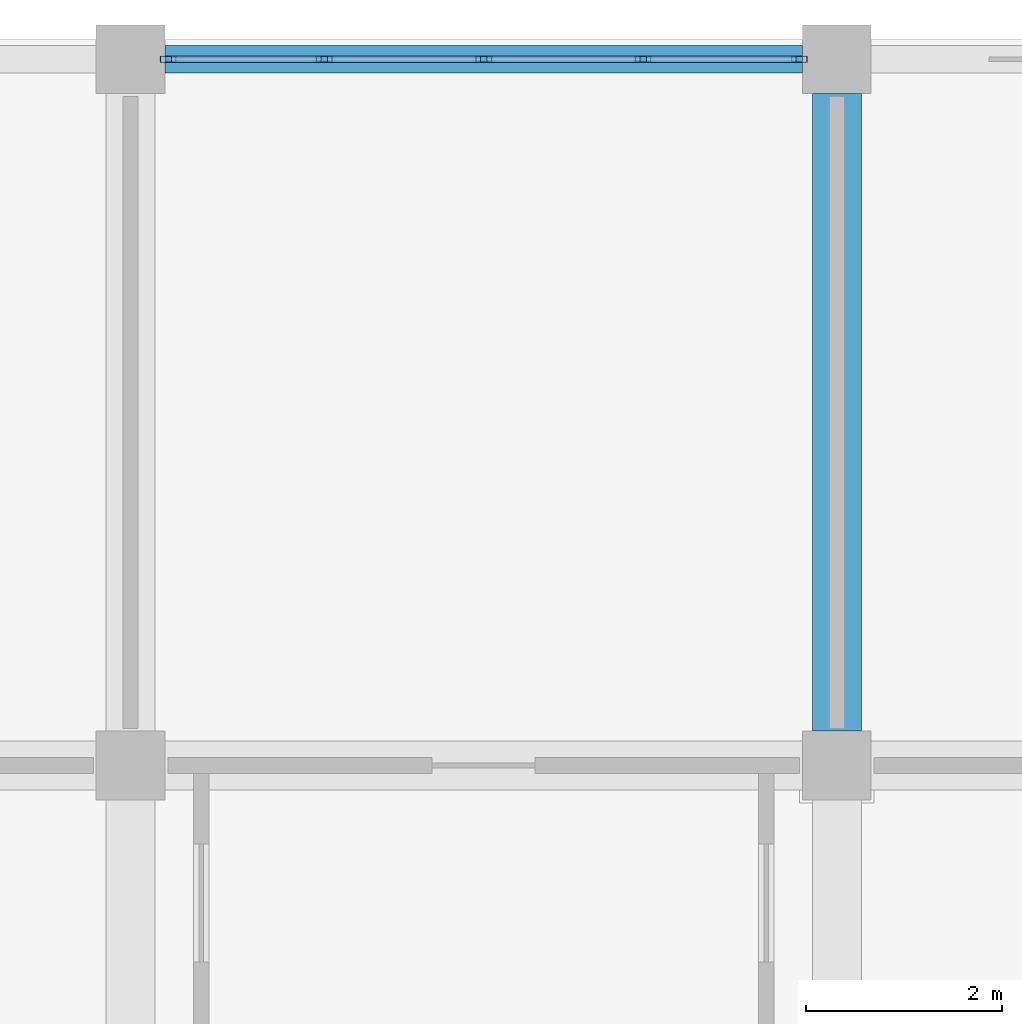
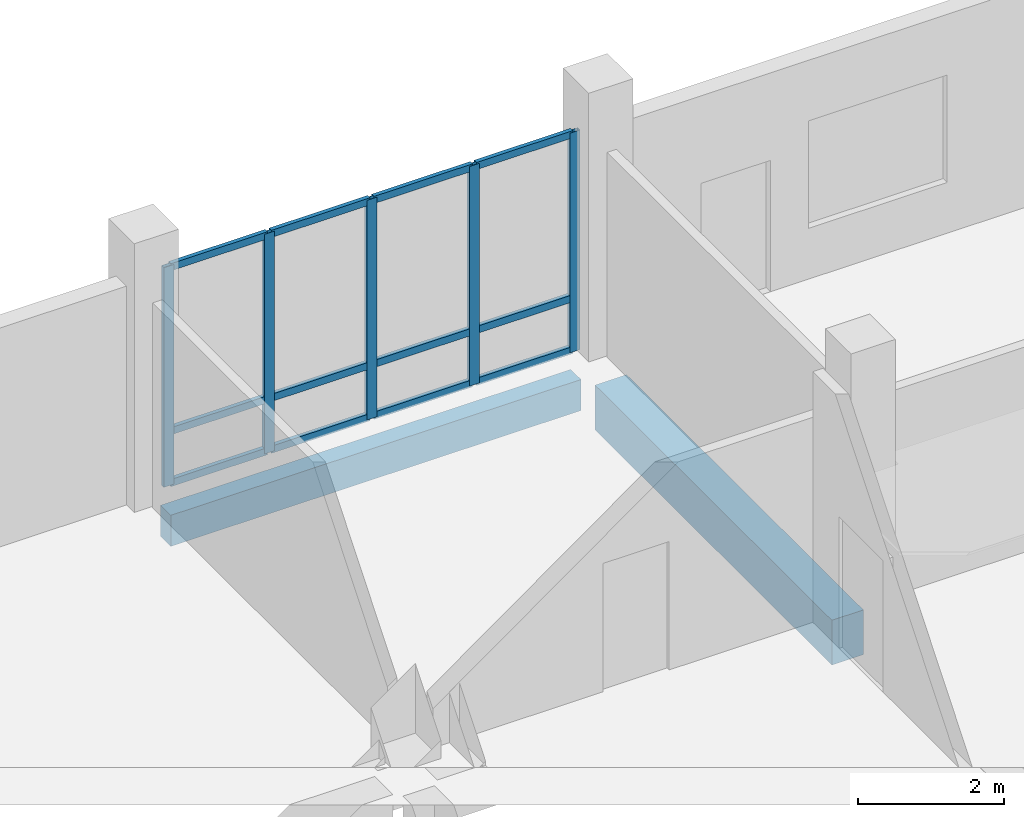
# One storey, part 98 of 139: 17 members, 2 beams, 1 element without a shape of its own.
"""IFC4 building model written with IfcOpenShell, lengths in metres."""

from ifc_helpers import new_model, si_unit, direction, frame, origin, origin_2d, place, context, subcontext, project, spatial, rectangle, hollow_rectangle, extrude, material, material_profile, profile_set, type_object, element, aggregate, save


model = new_model("IFC4")

# Units and contexts
model_context = context("Model", 3, precision=1e-05, world=origin(), true_north=direction((0.0, 1.0)))
body_context = subcontext(model_context, "Body", "Model", "MODEL_VIEW")
ifc_project = project(units=[si_unit("LENGTHUNIT", "METRE"), si_unit("AREAUNIT", "SQUARE_METRE"), si_unit("VOLUMEUNIT", "CUBIC_METRE"), si_unit("PLANEANGLEUNIT", "RADIAN"), si_unit("MASSUNIT", "GRAM", prefix="KILO")], contexts=[model_context])

# Site, building, storey
site_placement = place(None, origin())
site = spatial("IfcSite", under=ifc_project, at=site_placement, CompositionType="ELEMENT")
building_placement = place(site_placement, origin())
building = spatial("IfcBuilding", under=site, at=building_placement, Name="Suanplinth Sawtooth Commons", CompositionType="ELEMENT")
storey_placement = place(building_placement, origin())
storey = spatial("IfcBuildingStorey", under=building, at=storey_placement, Name="L00", CompositionType="ELEMENT", Elevation=0.0)

# Beams
ifc_material_1 = material(Name="Concrete C40/50", Category="concrete")
ifc_material_profile_1 = material_profile(ifc_material_1, rectangle(XDim=0.5, YDim=0.75, at=origin_2d()), Name="RC-GDR 500x750")
ifc_profile_set_1 = profile_set([ifc_material_profile_1], Name="Concrete C40/50")
beam_type_1 = type_object("IfcBeamType", Name="B-03", PredefinedType="USERDEFINED", material=ifc_profile_set_1)
beam_1_placement = place(storey_placement, frame((172.800048828125, 115.550048828125, -0.794921875), z_axis=(0.0, 1.0, 0.0), x_axis=(-1.0, 0.0, 0.0)))
element("IfcBeam", 1, at=beam_1_placement, inside=storey, type_object=beam_type_1, Name="BMY-L00-B-24-16", ObjectType="GIRDER", PredefinedType="USERDEFINED", context=body_context, shape_type="SweptSolid", body=[
    extrude(rectangle(XDim=0.5, YDim=0.75, at=origin_2d()), origin(), (0.0, 0.0, 1.0), 6.5),
])
ifc_material_2 = material(Name="Precast concrete C40/50", Category="concrete")
ifc_material_profile_2 = material_profile(ifc_material_2, rectangle(XDim=0.280029296875, YDim=0.52001953125, at=origin_2d()), Name="PC-SP 280x520")
ifc_profile_set_2 = profile_set([ifc_material_profile_2], Name="Precast concrete C40/50")
beam_type_2 = type_object("IfcBeamType", Name="B-08", PredefinedType="SPANDREL", material=ifc_profile_set_2)
beam_2_placement = place(storey_placement, frame((165.949951171875, 122.39990234375, -0.679931640625), z_axis=(1.0, 0.0, 0.0), x_axis=(0.0, 1.0, 0.0)))
element("IfcBeam", 2, at=beam_2_placement, inside=storey, type_object=beam_type_2, Name="BMX-L00-B-23-17", PredefinedType="SPANDREL", context=body_context, shape_type="SweptSolid", body=[
    extrude(rectangle(XDim=0.280029296875, YDim=0.52001953125, at=origin_2d()), origin(), (0.0, 0.0, 1.0), 6.5),
])

# Curtain wall, members
ifc_material_3 = material(Name="Anodized aluminium and low-E glazing", Category="aluminium")
curtain_wall_type = type_object("IfcCurtainWallType", Name="CW-04", PredefinedType="USERDEFINED", material=ifc_material_3)
curtain_wall_placement = place(storey_placement, origin())
curtain_wall = element("IfcCurtainWall", 3, at=curtain_wall_placement, inside=storey, type_object=curtain_wall_type, Name="Curtain Wall CW-L00-B-N-23", ObjectType="CURTAIN WALL", PredefinedType="USERDEFINED")
ifc_material_4 = material(Name="Anodized aluminium 6063-T6", Category="aluminium")
ifc_material_profile_3 = material_profile(ifc_material_4, hollow_rectangle(XDim=0.06494140625, YDim=0.159912109375, WallThickness=0.00390625, at=origin_2d()), Name="ALU-MUL 65x160")
ifc_profile_set_3 = profile_set([ifc_material_profile_3], Name="Anodized aluminium 6063-T6")
member_type_1 = type_object("IfcMemberType", Name="M-13", PredefinedType="MULLION", material=ifc_profile_set_3)
member_1_placement = place(storey_placement, frame((165.982421875, 122.39990234375, 0.0), z_axis=(0.0, 0.0, 1.0), x_axis=(0.0, 1.0, 0.0)))
member_1 = element("IfcMember", 4, at=member_1_placement, type_object=member_type_1, Name="CW-04 mullion 1", PredefinedType="MULLION", context=body_context, shape_type="SweptSolid", body=[
    extrude(hollow_rectangle(XDim=0.06494140625, YDim=0.159912109375, WallThickness=0.00390625, at=origin_2d()), origin(), (0.0, 0.0, 1.0), 3.679931640625),
])
member_2_placement = place(storey_placement, frame((167.574951171875, 122.39990234375, 0.0), z_axis=(0.0, 0.0, 1.0), x_axis=(0.0, 1.0, 0.0)))
member_2 = element("IfcMember", 5, at=member_2_placement, type_object=member_type_1, Name="CW-04 mullion 2", PredefinedType="MULLION", context=body_context, shape_type="SweptSolid", body=[
    extrude(hollow_rectangle(XDim=0.06494140625, YDim=0.159912109375, WallThickness=0.00390625, at=origin_2d()), origin(), (0.0, 0.0, 1.0), 3.679931640625),
])
member_3_placement = place(storey_placement, frame((169.199951171875, 122.39990234375, 0.0), z_axis=(0.0, 0.0, 1.0), x_axis=(0.0, 1.0, 0.0)))
member_3 = element("IfcMember", 6, at=member_3_placement, type_object=member_type_1, Name="CW-04 mullion 3", PredefinedType="MULLION", context=body_context, shape_type="SweptSolid", body=[
    extrude(hollow_rectangle(XDim=0.06494140625, YDim=0.159912109375, WallThickness=0.00390625, at=origin_2d()), origin(), (0.0, 0.0, 1.0), 3.679931640625),
])
member_4_placement = place(storey_placement, frame((170.824951171875, 122.39990234375, 0.0), z_axis=(0.0, 0.0, 1.0), x_axis=(0.0, 1.0, 0.0)))
member_4 = element("IfcMember", 7, at=member_4_placement, type_object=member_type_1, Name="CW-04 mullion 4", PredefinedType="MULLION", context=body_context, shape_type="SweptSolid", body=[
    extrude(hollow_rectangle(XDim=0.06494140625, YDim=0.159912109375, WallThickness=0.00390625, at=origin_2d()), origin(), (0.0, 0.0, 1.0), 3.679931640625),
])
member_5_placement = place(storey_placement, frame((172.41748046875, 122.39990234375, 0.0), z_axis=(0.0, 0.0, 1.0), x_axis=(0.0, 1.0, 0.0)))
member_5 = element("IfcMember", 8, at=member_5_placement, type_object=member_type_1, Name="CW-04 mullion 5", PredefinedType="MULLION", context=body_context, shape_type="SweptSolid", body=[
    extrude(hollow_rectangle(XDim=0.06494140625, YDim=0.159912109375, WallThickness=0.00390625, at=origin_2d()), origin(), (0.0, 0.0, 1.0), 3.679931640625),
])
ifc_material_profile_4 = material_profile(ifc_material_4, hollow_rectangle(XDim=0.06494140625, YDim=0.1201171875, WallThickness=0.00390625, at=origin_2d()), Name="ALU-TRN 65x120")
ifc_profile_set_4 = profile_set([ifc_material_profile_4], Name="Anodized aluminium 6063-T6")
member_type_2 = type_object("IfcMemberType", Name="M-15", PredefinedType="USERDEFINED", material=ifc_profile_set_4)
member_6_placement = place(storey_placement, frame((166.014892578125, 122.39990234375, 0.032470703125), z_axis=(1.0, 0.0, 0.0), x_axis=(0.0, 1.0, 0.0)))
member_6 = element("IfcMember", 9, at=member_6_placement, type_object=member_type_2, Name="CW-04 transom 1.1", ObjectType="TRANSOM", PredefinedType="USERDEFINED", context=body_context, shape_type="SweptSolid", body=[
    extrude(hollow_rectangle(XDim=0.06494140625, YDim=0.1201171875, WallThickness=0.00390625, at=origin_2d()), origin(), (0.0, 0.0, 1.0), 1.527587890625),
])
member_7_placement = place(storey_placement, frame((166.014892578125, 122.39990234375, 0.89990234375), z_axis=(1.0, 0.0, 0.0), x_axis=(0.0, 1.0, 0.0)))
member_7 = element("IfcMember", 10, at=member_7_placement, type_object=member_type_2, Name="CW-04 transom 1.2", ObjectType="TRANSOM", PredefinedType="USERDEFINED", context=body_context, shape_type="SweptSolid", body=[
    extrude(hollow_rectangle(XDim=0.06494140625, YDim=0.1201171875, WallThickness=0.00390625, at=origin_2d()), origin(), (0.0, 0.0, 1.0), 1.527587890625),
])
member_8_placement = place(storey_placement, frame((166.014892578125, 122.39990234375, 3.6474609375), z_axis=(1.0, 0.0, 0.0), x_axis=(0.0, 1.0, 0.0)))
member_8 = element("IfcMember", 11, at=member_8_placement, type_object=member_type_2, Name="CW-04 transom 1.3", ObjectType="TRANSOM", PredefinedType="USERDEFINED", context=body_context, shape_type="SweptSolid", body=[
    extrude(hollow_rectangle(XDim=0.06494140625, YDim=0.1201171875, WallThickness=0.00390625, at=origin_2d()), origin(), (0.0, 0.0, 1.0), 1.527587890625),
])
member_9_placement = place(storey_placement, frame((167.607421875, 122.39990234375, 0.032470703125), z_axis=(1.0, 0.0, 0.0), x_axis=(0.0, 1.0, 0.0)))
member_9 = element("IfcMember", 12, at=member_9_placement, type_object=member_type_2, Name="CW-04 transom 2.1", ObjectType="TRANSOM", PredefinedType="USERDEFINED", context=body_context, shape_type="SweptSolid", body=[
    extrude(hollow_rectangle(XDim=0.06494140625, YDim=0.1201171875, WallThickness=0.00390625, at=origin_2d()), origin(), (0.0, 0.0, 1.0), 1.56005859375),
])
member_10_placement = place(storey_placement, frame((167.607421875, 122.39990234375, 0.89990234375), z_axis=(1.0, 0.0, 0.0), x_axis=(0.0, 1.0, 0.0)))
member_10 = element("IfcMember", 13, at=member_10_placement, type_object=member_type_2, Name="CW-04 transom 2.2", ObjectType="TRANSOM", PredefinedType="USERDEFINED", context=body_context, shape_type="SweptSolid", body=[
    extrude(hollow_rectangle(XDim=0.06494140625, YDim=0.1201171875, WallThickness=0.00390625, at=origin_2d()), origin(), (0.0, 0.0, 1.0), 1.56005859375),
])
member_11_placement = place(storey_placement, frame((167.607421875, 122.39990234375, 3.6474609375), z_axis=(1.0, 0.0, 0.0), x_axis=(0.0, 1.0, 0.0)))
member_11 = element("IfcMember", 14, at=member_11_placement, type_object=member_type_2, Name="CW-04 transom 2.3", ObjectType="TRANSOM", PredefinedType="USERDEFINED", context=body_context, shape_type="SweptSolid", body=[
    extrude(hollow_rectangle(XDim=0.06494140625, YDim=0.1201171875, WallThickness=0.00390625, at=origin_2d()), origin(), (0.0, 0.0, 1.0), 1.56005859375),
])
member_12_placement = place(storey_placement, frame((169.232421875, 122.39990234375, 0.032470703125), z_axis=(1.0, 0.0, 0.0), x_axis=(0.0, 1.0, 0.0)))
member_12 = element("IfcMember", 15, at=member_12_placement, type_object=member_type_2, Name="CW-04 transom 3.1", ObjectType="TRANSOM", PredefinedType="USERDEFINED", context=body_context, shape_type="SweptSolid", body=[
    extrude(hollow_rectangle(XDim=0.06494140625, YDim=0.1201171875, WallThickness=0.00390625, at=origin_2d()), origin(), (0.0, 0.0, 1.0), 1.56005859375),
])
member_13_placement = place(storey_placement, frame((169.232421875, 122.39990234375, 0.89990234375), z_axis=(1.0, 0.0, 0.0), x_axis=(0.0, 1.0, 0.0)))
member_13 = element("IfcMember", 16, at=member_13_placement, type_object=member_type_2, Name="CW-04 transom 3.2", ObjectType="TRANSOM", PredefinedType="USERDEFINED", context=body_context, shape_type="SweptSolid", body=[
    extrude(hollow_rectangle(XDim=0.06494140625, YDim=0.1201171875, WallThickness=0.00390625, at=origin_2d()), origin(), (0.0, 0.0, 1.0), 1.56005859375),
])
member_14_placement = place(storey_placement, frame((169.232421875, 122.39990234375, 3.6474609375), z_axis=(1.0, 0.0, 0.0), x_axis=(0.0, 1.0, 0.0)))
member_14 = element("IfcMember", 17, at=member_14_placement, type_object=member_type_2, Name="CW-04 transom 3.3", ObjectType="TRANSOM", PredefinedType="USERDEFINED", context=body_context, shape_type="SweptSolid", body=[
    extrude(hollow_rectangle(XDim=0.06494140625, YDim=0.1201171875, WallThickness=0.00390625, at=origin_2d()), origin(), (0.0, 0.0, 1.0), 1.56005859375),
])
member_15_placement = place(storey_placement, frame((170.857421875, 122.39990234375, 0.032470703125), z_axis=(1.0, 0.0, 0.0), x_axis=(0.0, 1.0, 0.0)))
member_15 = element("IfcMember", 18, at=member_15_placement, type_object=member_type_2, Name="CW-04 transom 4.1", ObjectType="TRANSOM", PredefinedType="USERDEFINED", context=body_context, shape_type="SweptSolid", body=[
    extrude(hollow_rectangle(XDim=0.06494140625, YDim=0.1201171875, WallThickness=0.00390625, at=origin_2d()), origin(), (0.0, 0.0, 1.0), 1.527587890625),
])
member_16_placement = place(storey_placement, frame((170.857421875, 122.39990234375, 0.89990234375), z_axis=(1.0, 0.0, 0.0), x_axis=(0.0, 1.0, 0.0)))
member_16 = element("IfcMember", 19, at=member_16_placement, type_object=member_type_2, Name="CW-04 transom 4.2", ObjectType="TRANSOM", PredefinedType="USERDEFINED", context=body_context, shape_type="SweptSolid", body=[
    extrude(hollow_rectangle(XDim=0.06494140625, YDim=0.1201171875, WallThickness=0.00390625, at=origin_2d()), origin(), (0.0, 0.0, 1.0), 1.527587890625),
])
member_17_placement = place(storey_placement, frame((170.857421875, 122.39990234375, 3.6474609375), z_axis=(1.0, 0.0, 0.0), x_axis=(0.0, 1.0, 0.0)))
member_17 = element("IfcMember", 20, at=member_17_placement, type_object=member_type_2, Name="CW-04 transom 4.3", ObjectType="TRANSOM", PredefinedType="USERDEFINED", context=body_context, shape_type="SweptSolid", body=[
    extrude(hollow_rectangle(XDim=0.06494140625, YDim=0.1201171875, WallThickness=0.00390625, at=origin_2d()), origin(), (0.0, 0.0, 1.0), 1.527587890625),
])
aggregate(curtain_wall, [member_1, member_2, member_3, member_4, member_5, member_6, member_7, member_8, member_9, member_10, member_11, member_12, member_13, member_14, member_15, member_16, member_17])

save(model, "model.ifc")
